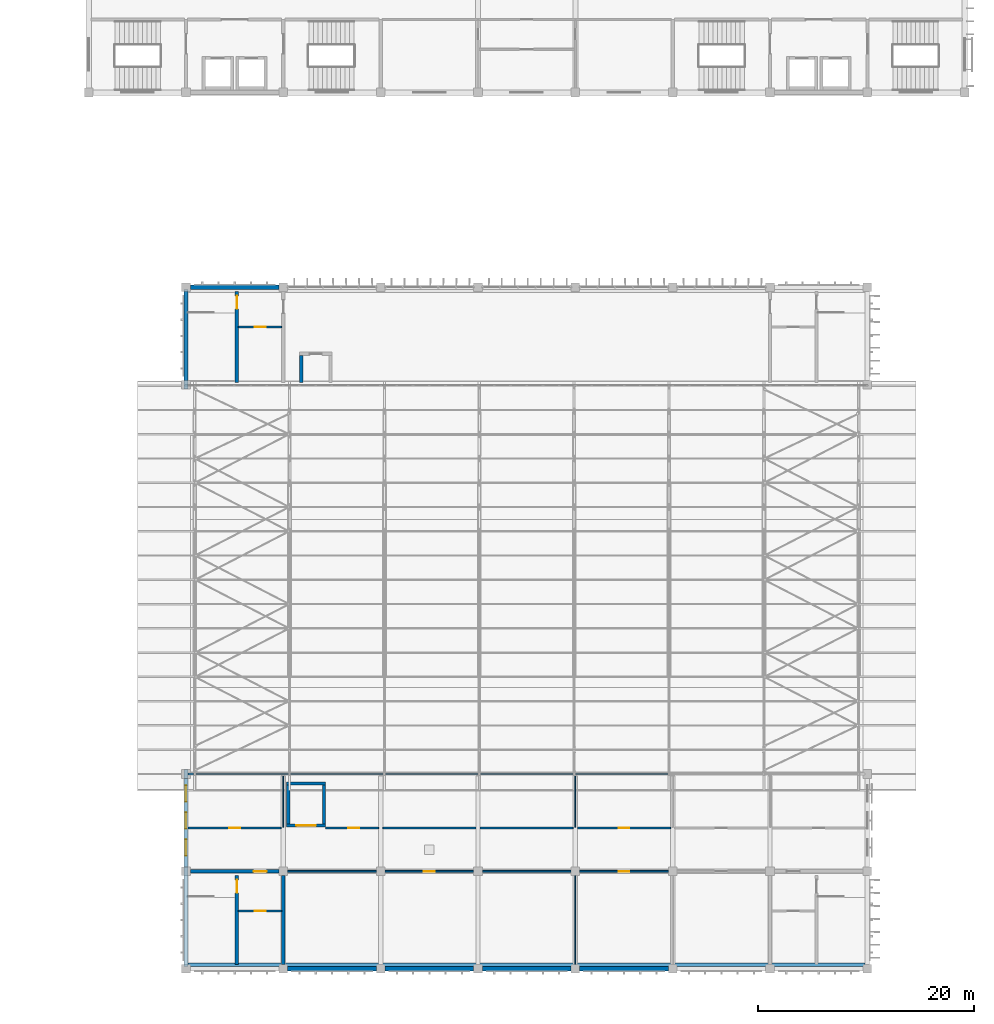
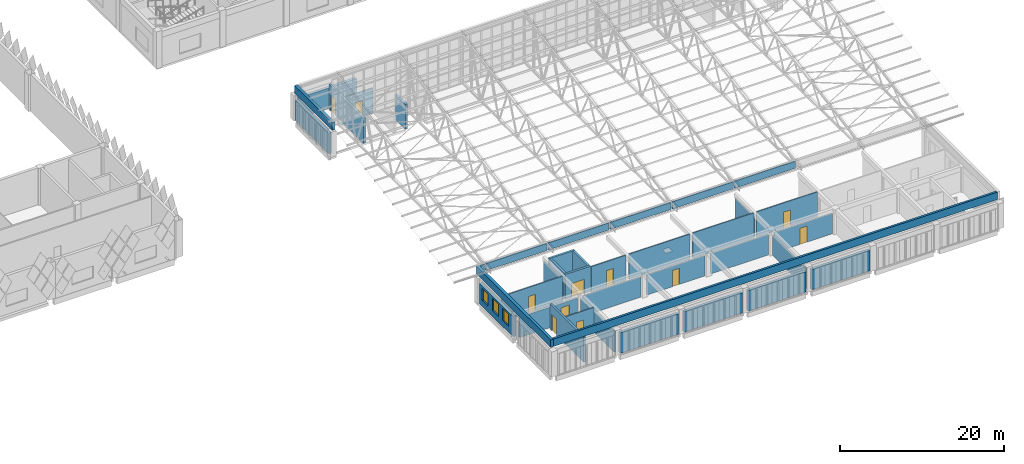
# One storey, part 120 of 185: 39 walls, 11 doors, 3 windows, 14 openings.
"""IFC4 building model written with IfcOpenShell, lengths in metres."""

from ifc_helpers import new_model, si_unit, direction, frame, frame_2d, origin, place, context, subcontext, project, spatial, rectangle, extrude, material, layer, layer_set, type_object, element, fill, save


model = new_model("IFC4")

# Units and contexts
model_context = context("Model", 3, precision=1e-05, world=origin(), true_north=direction((0.0, 1.0)))
body_context = subcontext(model_context, "Body", "Model", "MODEL_VIEW")
ifc_project = project(units=[si_unit("LENGTHUNIT", "METRE"), si_unit("AREAUNIT", "SQUARE_METRE"), si_unit("VOLUMEUNIT", "CUBIC_METRE"), si_unit("PLANEANGLEUNIT", "RADIAN"), si_unit("MASSUNIT", "GRAM", prefix="KILO")], contexts=[model_context])

# Site, building, storey
site_placement = place(None, origin())
site = spatial("IfcSite", under=ifc_project, at=site_placement, CompositionType="ELEMENT")
building_placement = place(site_placement, origin())
building = spatial("IfcBuilding", under=site, at=building_placement, Name="Opaline Strait Convention Centre", CompositionType="ELEMENT")
storey_placement = place(building_placement, frame((0.0, 0.0, 6.0)))
storey = spatial("IfcBuildingStorey", under=building, at=storey_placement, Name="L01", CompositionType="ELEMENT", Elevation=6.0)

# Wall, opening, door
ifc_material_1 = material(Name="Concrete C40", Category="concrete")
ifc_layer_1 = layer(ifc_material_1, 0.300048828125)
ifc_layer_set_1 = layer_set([ifc_layer_1], Name="Concrete C40")
wall_type_1 = type_object("IfcWallType", Name="Core enclosure wall 300 C40", PredefinedType="STANDARD", material=ifc_layer_set_1)
wall_1_placement = place(storey_placement, frame((292.699951171875, 9.39990234375, 0.0), z_axis=(0.0, 0.0, 1.0), x_axis=(0.0, 1.0, 0.0)))
wall_1 = element("IfcWall", 1, at=wall_1_placement, inside=storey, type_object=wall_type_1, Name="Stair enclosure wall L01 SW", PredefinedType="STANDARD", context=body_context, shape_type="SweptSolid", body=[
    extrude(rectangle(XDim=8.2001953125, YDim=0.300048828125, at=frame_2d((4.10009765625, 0.0))), origin(), (0.0, 0.0, 1.0), 3.75),
])
opening_1_placement = place(wall_1_placement, frame((6.60009765625, 0.0, 0.0)))
opening_1 = element("IfcOpeningElement", 2, at=opening_1_placement, cuts=wall_1, Name="Opening B1-001", PredefinedType="OPENING", context=body_context, shape_type="SweptSolid", body=[
    extrude(rectangle(XDim=1.199951171875, YDim=2.39990234375, at=frame_2d((0.60009765625, 1.199951171875))), frame((0.0, 0.159912109375, 0.0), z_axis=(0.0, -1.0, 0.0), x_axis=(1.0, 0.0, 0.0)), (0.0, 0.0, 1.0), 0.320068359375),
])
ifc_material_2 = material(Name="Steel Q235B", Category="steel")
door_type_1 = type_object("IfcDoorType", Name="Single fire door FD60 1200 x 2400", OperationType="SINGLE_SWING_LEFT", PredefinedType="DOOR", material=ifc_material_2)
door_1_placement = place(opening_1_placement, frame((1.199951171875, 0.0, 0.0), z_axis=(0.0, 0.0, 1.0), x_axis=(-1.0, 0.0, 0.0)))
door_1 = element("IfcDoor", 3, at=door_1_placement, inside=storey, type_object=door_type_1, Name="Stair door L01 SW", ObjectType="BD5", OperationType="SINGLE_SWING_RIGHT", OverallHeight=2.39990234375, OverallWidth=1.199951171875, PredefinedType="DOOR", context=body_context, shape_type="SweptSolid", body=[
    extrude(rectangle(XDim=1.199951171875, YDim=2.39990234375, at=frame_2d((0.60009765625, 1.199951171875))), frame((0.0, 0.02490234375, 0.0), z_axis=(0.0, -1.0, 0.0), x_axis=(1.0, 0.0, 0.0)), (0.0, 0.0, 1.0), 0.050048828125),
])
fill(opening_1, door_1)

# Wall
wall_2_placement = place(storey_placement, frame((297.0, 9.39990234375, 0.0), z_axis=(0.0, 0.0, 1.0), x_axis=(0.0, 1.0, 0.0)))
element("IfcWall", 4, at=wall_2_placement, inside=storey, type_object=wall_type_1, Name="Core wall L01 SW", PredefinedType="STANDARD", context=body_context, shape_type="SweptSolid", body=[
    extrude(rectangle(XDim=8.2001953125, YDim=0.300048828125, at=frame_2d((4.10009765625, 0.0))), origin(), (0.0, 0.0, 1.0), 3.050048828125),
])

# Wall, opening, door
wall_3_placement = place(storey_placement, frame((288.39990234375, 18.0, 0.0), z_axis=(0.0, 0.0, 1.0), x_axis=(1.0, 0.0, 0.0)))
wall_3 = element("IfcWall", 5, at=wall_3_placement, inside=storey, type_object=wall_type_1, Name="Core north wall L01 SW", PredefinedType="STANDARD", context=body_context, shape_type="SweptSolid", body=[
    extrude(rectangle(XDim=8.2001953125, YDim=0.300048828125, at=frame_2d((4.10009765625, 0.0))), origin(), (0.0, 0.0, 1.0), 3.050048828125),
])
opening_2_placement = place(wall_3_placement, frame((5.85009765625, 0.0, 0.0)))
opening_2 = element("IfcOpeningElement", 6, at=opening_2_placement, cuts=wall_3, Name="Opening B1-002", PredefinedType="OPENING", context=body_context, shape_type="SweptSolid", body=[
    extrude(rectangle(XDim=1.199951171875, YDim=2.39990234375, at=frame_2d((0.60009765625, 1.199951171875))), frame((0.0, 0.159912109375, 0.0), z_axis=(0.0, -1.0, 0.0), x_axis=(1.0, 0.0, 0.0)), (0.0, 0.0, 1.0), 0.320068359375),
])
door_2_placement = place(opening_2_placement, origin())
door_2 = element("IfcDoor", 7, at=door_2_placement, inside=storey, type_object=door_type_1, Name="Stair lobby door L01 SW", ObjectType="BD5", OperationType="SINGLE_SWING_LEFT", OverallHeight=2.39990234375, OverallWidth=1.199951171875, PredefinedType="DOOR", context=body_context, shape_type="SweptSolid", body=[
    extrude(rectangle(XDim=1.199951171875, YDim=2.39990234375, at=frame_2d((0.60009765625, 1.199951171875))), frame((0.0, 0.02490234375, 0.0), z_axis=(0.0, -1.0, 0.0), x_axis=(1.0, 0.0, 0.0)), (0.0, 0.0, 1.0), 0.050048828125),
])
fill(opening_2, door_2)

wall_4_placement = place(storey_placement, frame((292.699951171875, 63.199951171875, 0.0), z_axis=(0.0, 0.0, 1.0), x_axis=(0.0, 1.0, 0.0)))
wall_4 = element("IfcWall", 8, at=wall_4_placement, inside=storey, type_object=wall_type_1, Name="Stair enclosure wall L01 NW", PredefinedType="STANDARD", context=body_context, shape_type="SweptSolid", body=[
    extrude(rectangle(XDim=8.400146484375, YDim=0.300048828125, at=frame_2d((4.2001953125, 0.0))), origin(), (0.0, 0.0, 1.0), 3.75),
])
opening_3_placement = place(wall_4_placement, frame((6.800048828125, 0.0, 0.0)))
opening_3 = element("IfcOpeningElement", 9, at=opening_3_placement, cuts=wall_4, Name="Opening B1-007", PredefinedType="OPENING", context=body_context, shape_type="SweptSolid", body=[
    extrude(rectangle(XDim=1.199951171875, YDim=2.39990234375, at=frame_2d((0.60009765625, 1.199951171875))), frame((0.0, 0.159912109375, 0.0), z_axis=(0.0, -1.0, 0.0), x_axis=(1.0, 0.0, 0.0)), (0.0, 0.0, 1.0), 0.320068359375),
])
door_3_placement = place(opening_3_placement, frame((1.199951171875, 0.0, 0.0), z_axis=(0.0, 0.0, 1.0), x_axis=(-1.0, 0.0, 0.0)))
door_3 = element("IfcDoor", 10, at=door_3_placement, inside=storey, type_object=door_type_1, Name="Stair door L01 NW", ObjectType="BD5", OperationType="SINGLE_SWING_RIGHT", OverallHeight=2.39990234375, OverallWidth=1.199951171875, PredefinedType="DOOR", context=body_context, shape_type="SweptSolid", body=[
    extrude(rectangle(XDim=1.199951171875, YDim=2.39990234375, at=frame_2d((0.60009765625, 1.199951171875))), frame((0.0, 0.02490234375, 0.0), z_axis=(0.0, -1.0, 0.0), x_axis=(1.0, 0.0, 0.0)), (0.0, 0.0, 1.0), 0.050048828125),
])
fill(opening_3, door_3)

ifc_material_3 = material(Name="Gypsum board and steel stud partition", Category="steel")
ifc_layer_2 = layer(ifc_material_3, 0.14990234375)
ifc_layer_set_2 = layer_set([ifc_layer_2], Name="Gypsum board and steel stud partition")
wall_type_2 = type_object("IfcWallType", Name="Corridor partition 150 EI 60", PredefinedType="PARTITIONING", material=ifc_layer_set_2)
wall_5_placement = place(storey_placement, frame((292.85009765625, 14.324951171875, 0.0), z_axis=(0.0, 0.0, 1.0), x_axis=(1.0, 0.0, 0.0)))
wall_5 = element("IfcWall", 11, at=wall_5_placement, inside=storey, type_object=wall_type_2, Name="Lobby partition L01 SW", PredefinedType="PARTITIONING", context=body_context, shape_type="SweptSolid", body=[
    extrude(rectangle(XDim=4.0, YDim=0.14990234375, at=frame_2d((2.0, 0.0))), origin(), (0.0, 0.0, 1.0), 3.75),
])
opening_4_placement = place(wall_5_placement, frame((1.5, 0.0, 0.0)))
opening_4 = element("IfcOpeningElement", 12, at=opening_4_placement, cuts=wall_5, Name="Opening B1-003", PredefinedType="OPENING", context=body_context, shape_type="SweptSolid", body=[
    extrude(rectangle(XDim=1.0, YDim=2.39990234375, at=frame_2d((0.5, 1.199951171875))), frame((0.0, 0.0849609375, 0.0), z_axis=(0.0, -1.0, 0.0), x_axis=(1.0, 0.0, 0.0)), (0.0, 0.0, 1.0), 0.169921875),
])
ifc_material_4 = material(Name="Solid timber door leaf", Category="wood")
door_type_2 = type_object("IfcDoorType", Name="Single room door 1000 x 2400", OperationType="SINGLE_SWING_LEFT", PredefinedType="DOOR", material=ifc_material_4)
door_4_placement = place(opening_4_placement, origin())
door_4 = element("IfcDoor", 13, at=door_4_placement, inside=storey, type_object=door_type_2, Name="Staff WC door L01", ObjectType="BD3", OperationType="SINGLE_SWING_LEFT", OverallHeight=2.39990234375, OverallWidth=1.0, PredefinedType="DOOR", context=body_context, shape_type="SweptSolid", body=[
    extrude(rectangle(XDim=1.0, YDim=2.39990234375, at=frame_2d((0.5, 1.199951171875))), frame((0.0, 0.02490234375, 0.0), z_axis=(0.0, -1.0, 0.0), x_axis=(1.0, 0.0, 0.0)), (0.0, 0.0, 1.0), 0.050048828125),
])
fill(opening_4, door_4)

wall_6_placement = place(storey_placement, frame((292.85009765625, 68.324951171875, 0.0), z_axis=(0.0, 0.0, 1.0), x_axis=(1.0, 0.0, 0.0)))
wall_6 = element("IfcWall", 14, at=wall_6_placement, inside=storey, type_object=wall_type_2, Name="Lobby partition L01 NW", PredefinedType="PARTITIONING", context=body_context, shape_type="SweptSolid", body=[
    extrude(rectangle(XDim=4.0, YDim=0.14990234375, at=frame_2d((2.0, 0.0))), origin(), (0.0, 0.0, 1.0), 3.75),
])
opening_5_placement = place(wall_6_placement, frame((1.5, 0.0, 0.0)))
opening_5 = element("IfcOpeningElement", 15, at=opening_5_placement, cuts=wall_6, Name="Opening B1-009", PredefinedType="OPENING", context=body_context, shape_type="SweptSolid", body=[
    extrude(rectangle(XDim=1.0, YDim=2.39990234375, at=frame_2d((0.5, 1.199951171875))), frame((0.0, 0.0849609375, 0.0), z_axis=(0.0, -1.0, 0.0), x_axis=(1.0, 0.0, 0.0)), (0.0, 0.0, 1.0), 0.169921875),
])
door_5_placement = place(opening_5_placement, origin())
door_5 = element("IfcDoor", 16, at=door_5_placement, inside=storey, type_object=door_type_2, Name="Dressing room door L01", ObjectType="BD3", OperationType="SINGLE_SWING_LEFT", OverallHeight=2.39990234375, OverallWidth=1.0, PredefinedType="DOOR", context=body_context, shape_type="SweptSolid", body=[
    extrude(rectangle(XDim=1.0, YDim=2.39990234375, at=frame_2d((0.5, 1.199951171875))), frame((0.0, 0.02490234375, 0.0), z_axis=(0.0, -1.0, 0.0), x_axis=(1.0, 0.0, 0.0)), (0.0, 0.0, 1.0), 0.050048828125),
])
fill(opening_5, door_5)

# Wall
wall_7_placement = place(storey_placement, frame((297.39990234375, 18.0, 0.0), z_axis=(0.0, 0.0, 1.0), x_axis=(1.0, 0.0, 0.0)))
element("IfcWall", 17, at=wall_7_placement, inside=storey, type_object=wall_type_2, Name="Corridor wall L01 y18 bay 1", PredefinedType="PARTITIONING", context=body_context, shape_type="SweptSolid", body=[
    extrude(rectangle(XDim=8.2001953125, YDim=0.14990234375, at=frame_2d((4.10009765625, 0.0))), origin(), (0.0, 0.0, 1.0), 3.050048828125),
])

# Wall, opening, door
wall_8_placement = place(storey_placement, frame((306.39990234375, 18.0, 0.0), z_axis=(0.0, 0.0, 1.0), x_axis=(1.0, 0.0, 0.0)))
wall_8 = element("IfcWall", 18, at=wall_8_placement, inside=storey, type_object=wall_type_2, Name="Corridor wall L01 y18 bay 2", PredefinedType="PARTITIONING", context=body_context, shape_type="SweptSolid", body=[
    extrude(rectangle(XDim=8.2001953125, YDim=0.14990234375, at=frame_2d((4.10009765625, 0.0))), origin(), (0.0, 0.0, 1.0), 3.050048828125),
])
opening_6_placement = place(wall_8_placement, frame((3.60009765625, 0.0, 0.0)))
opening_6 = element("IfcOpeningElement", 19, at=opening_6_placement, cuts=wall_8, Name="Opening B1-013", PredefinedType="OPENING", context=body_context, shape_type="SweptSolid", body=[
    extrude(rectangle(XDim=1.0, YDim=2.39990234375, at=frame_2d((0.5, 1.199951171875))), frame((0.0, 0.0849609375, 0.0), z_axis=(0.0, -1.0, 0.0), x_axis=(1.0, 0.0, 0.0)), (0.0, 0.0, 1.0), 0.169921875),
])
door_type_3 = type_object("IfcDoorType", Name="Single fire door FD30 1000 x 2400", OperationType="SINGLE_SWING_LEFT", PredefinedType="DOOR", material=ifc_material_2)
door_6_placement = place(opening_6_placement, origin())
door_6 = element("IfcDoor", 20, at=door_6_placement, inside=storey, type_object=door_type_3, Name="Room door L01 y18 2", ObjectType="BD2", OperationType="SINGLE_SWING_LEFT", OverallHeight=2.39990234375, OverallWidth=1.0, PredefinedType="DOOR", context=body_context, shape_type="SweptSolid", body=[
    extrude(rectangle(XDim=1.0, YDim=2.39990234375, at=frame_2d((0.5, 1.199951171875))), frame((0.0, 0.02490234375, 0.0), z_axis=(0.0, -1.0, 0.0), x_axis=(1.0, 0.0, 0.0)), (0.0, 0.0, 1.0), 0.050048828125),
])
fill(opening_6, door_6)

# Wall
wall_9_placement = place(storey_placement, frame((315.39990234375, 18.0, 0.0), z_axis=(0.0, 0.0, 1.0), x_axis=(1.0, 0.0, 0.0)))
element("IfcWall", 21, at=wall_9_placement, inside=storey, type_object=wall_type_2, Name="Corridor wall L01 y18 bay 3", PredefinedType="PARTITIONING", context=body_context, shape_type="SweptSolid", body=[
    extrude(rectangle(XDim=8.2001953125, YDim=0.14990234375, at=frame_2d((4.10009765625, 0.0))), origin(), (0.0, 0.0, 1.0), 3.050048828125),
])

# Wall, opening, door
wall_10_placement = place(storey_placement, frame((324.39990234375, 18.0, 0.0), z_axis=(0.0, 0.0, 1.0), x_axis=(1.0, 0.0, 0.0)))
wall_10 = element("IfcWall", 22, at=wall_10_placement, inside=storey, type_object=wall_type_2, Name="Corridor wall L01 y18 bay 4", PredefinedType="PARTITIONING", context=body_context, shape_type="SweptSolid", body=[
    extrude(rectangle(XDim=8.2001953125, YDim=0.14990234375, at=frame_2d((4.10009765625, 0.0))), origin(), (0.0, 0.0, 1.0), 3.050048828125),
])
opening_7_placement = place(wall_10_placement, frame((3.60009765625, 0.0, 0.0)))
opening_7 = element("IfcOpeningElement", 23, at=opening_7_placement, cuts=wall_10, Name="Opening B1-014", PredefinedType="OPENING", context=body_context, shape_type="SweptSolid", body=[
    extrude(rectangle(XDim=1.0, YDim=2.39990234375, at=frame_2d((0.5, 1.199951171875))), frame((0.0, 0.0849609375, 0.0), z_axis=(0.0, -1.0, 0.0), x_axis=(1.0, 0.0, 0.0)), (0.0, 0.0, 1.0), 0.169921875),
])
door_7_placement = place(opening_7_placement, origin())
door_7 = element("IfcDoor", 24, at=door_7_placement, inside=storey, type_object=door_type_3, Name="Room door L01 y18 4", ObjectType="BD2", OperationType="SINGLE_SWING_LEFT", OverallHeight=2.39990234375, OverallWidth=1.0, PredefinedType="DOOR", context=body_context, shape_type="SweptSolid", body=[
    extrude(rectangle(XDim=1.0, YDim=2.39990234375, at=frame_2d((0.5, 1.199951171875))), frame((0.0, 0.02490234375, 0.0), z_axis=(0.0, -1.0, 0.0), x_axis=(1.0, 0.0, 0.0)), (0.0, 0.0, 1.0), 0.050048828125),
])
fill(opening_7, door_7)

wall_11_placement = place(storey_placement, frame((288.199951171875, 22.0, 0.0), z_axis=(0.0, 0.0, 1.0), x_axis=(1.0, 0.0, 0.0)))
wall_11 = element("IfcWall", 25, at=wall_11_placement, inside=storey, type_object=wall_type_2, Name="Corridor wall L01 y22 bay 0", PredefinedType="PARTITIONING", context=body_context, shape_type="SweptSolid", body=[
    extrude(rectangle(XDim=8.60009765625, YDim=0.14990234375, at=frame_2d((4.300048828125, 0.0))), origin(), (0.0, 0.0, 1.0), 3.75),
])
opening_8_placement = place(wall_11_placement, frame((3.800048828125, 0.0, 0.0)))
opening_8 = element("IfcOpeningElement", 26, at=opening_8_placement, cuts=wall_11, Name="Opening B1-016", PredefinedType="OPENING", context=body_context, shape_type="SweptSolid", body=[
    extrude(rectangle(XDim=1.0, YDim=2.39990234375, at=frame_2d((0.5, 1.199951171875))), frame((0.0, 0.0849609375, 0.0), z_axis=(0.0, -1.0, 0.0), x_axis=(1.0, 0.0, 0.0)), (0.0, 0.0, 1.0), 0.169921875),
])
door_8_placement = place(opening_8_placement, frame((1.0, 0.0, 0.0), z_axis=(0.0, 0.0, 1.0), x_axis=(-1.0, 0.0, 0.0)))
door_8 = element("IfcDoor", 27, at=door_8_placement, inside=storey, type_object=door_type_3, Name="Room door L01 y22 0", ObjectType="BD2", OperationType="SINGLE_SWING_RIGHT", OverallHeight=2.39990234375, OverallWidth=1.0, PredefinedType="DOOR", context=body_context, shape_type="SweptSolid", body=[
    extrude(rectangle(XDim=1.0, YDim=2.39990234375, at=frame_2d((0.5, 1.199951171875))), frame((0.0, 0.02490234375, 0.0), z_axis=(0.0, -1.0, 0.0), x_axis=(1.0, 0.0, 0.0)), (0.0, 0.0, 1.0), 0.050048828125),
])
fill(opening_8, door_8)

wall_12_placement = place(storey_placement, frame((300.89990234375, 22.0, 0.0), z_axis=(0.0, 0.0, 1.0), x_axis=(1.0, 0.0, 0.0)))
wall_12 = element("IfcWall", 28, at=wall_12_placement, inside=storey, type_object=wall_type_2, Name="Corridor wall L01 y22 bay 1", PredefinedType="PARTITIONING", context=body_context, shape_type="SweptSolid", body=[
    extrude(rectangle(XDim=4.900146484375, YDim=0.14990234375, at=frame_2d((2.4501953125, 0.0))), origin(), (0.0, 0.0, 1.0), 3.75),
])
opening_9_placement = place(wall_12_placement, frame((2.10009765625, 0.0, 0.0)))
opening_9 = element("IfcOpeningElement", 29, at=opening_9_placement, cuts=wall_12, Name="Opening B1-017", PredefinedType="OPENING", context=body_context, shape_type="SweptSolid", body=[
    extrude(rectangle(XDim=1.0, YDim=2.39990234375, at=frame_2d((0.5, 1.199951171875))), frame((0.0, 0.0849609375, 0.0), z_axis=(0.0, -1.0, 0.0), x_axis=(1.0, 0.0, 0.0)), (0.0, 0.0, 1.0), 0.169921875),
])
door_9_placement = place(opening_9_placement, frame((1.0, 0.0, 0.0), z_axis=(0.0, 0.0, 1.0), x_axis=(-1.0, 0.0, 0.0)))
door_9 = element("IfcDoor", 30, at=door_9_placement, inside=storey, type_object=door_type_3, Name="Room door L01 y22 1", ObjectType="BD2", OperationType="SINGLE_SWING_RIGHT", OverallHeight=2.39990234375, OverallWidth=1.0, PredefinedType="DOOR", context=body_context, shape_type="SweptSolid", body=[
    extrude(rectangle(XDim=1.0, YDim=2.39990234375, at=frame_2d((0.5, 1.199951171875))), frame((0.0, 0.02490234375, 0.0), z_axis=(0.0, -1.0, 0.0), x_axis=(1.0, 0.0, 0.0)), (0.0, 0.0, 1.0), 0.050048828125),
])
fill(opening_9, door_9)

# Walls
for number, where, z_axis, x_axis, name in (
    (31, (306.199951171875, 22.0, 0.0), (0.0, 0.0, 1.0), (1.0, 0.0, 0.0), "Corridor wall L01 y22 bay 2"),
    (32, (315.199951171875, 22.0, 0.0), (0.0, 0.0, 1.0), (1.0, 0.0, 0.0), "Corridor wall L01 y22 bay 3"),
):
    element("IfcWall", number, at=place(storey_placement, frame(where, z_axis=z_axis, x_axis=x_axis)), inside=storey, type_object=wall_type_2, Name=name, PredefinedType="PARTITIONING", context=body_context, shape_type="SweptSolid", body=[
        extrude(rectangle(XDim=8.60009765625, YDim=0.14990234375, at=frame_2d((4.300048828125, 0.0))), origin(), (0.0, 0.0, 1.0), 3.75),
    ])

# Wall, opening, door
wall_13_placement = place(storey_placement, frame((324.199951171875, 22.0, 0.0), z_axis=(0.0, 0.0, 1.0), x_axis=(1.0, 0.0, 0.0)))
wall_13 = element("IfcWall", 33, at=wall_13_placement, inside=storey, type_object=wall_type_2, Name="Corridor wall L01 y22 bay 4", PredefinedType="PARTITIONING", context=body_context, shape_type="SweptSolid", body=[
    extrude(rectangle(XDim=8.60009765625, YDim=0.14990234375, at=frame_2d((4.300048828125, 0.0))), origin(), (0.0, 0.0, 1.0), 3.75),
])
opening_10_placement = place(wall_13_placement, frame((3.800048828125, 0.0, 0.0)))
opening_10 = element("IfcOpeningElement", 34, at=opening_10_placement, cuts=wall_13, Name="Opening B1-018", PredefinedType="OPENING", context=body_context, shape_type="SweptSolid", body=[
    extrude(rectangle(XDim=1.0, YDim=2.39990234375, at=frame_2d((0.5, 1.199951171875))), frame((0.0, 0.0849609375, 0.0), z_axis=(0.0, -1.0, 0.0), x_axis=(1.0, 0.0, 0.0)), (0.0, 0.0, 1.0), 0.169921875),
])
door_10_placement = place(opening_10_placement, frame((1.0, 0.0, 0.0), z_axis=(0.0, 0.0, 1.0), x_axis=(-1.0, 0.0, 0.0)))
door_10 = element("IfcDoor", 35, at=door_10_placement, inside=storey, type_object=door_type_3, Name="Room door L01 y22 4", ObjectType="BD2", OperationType="SINGLE_SWING_RIGHT", OverallHeight=2.39990234375, OverallWidth=1.0, PredefinedType="DOOR", context=body_context, shape_type="SweptSolid", body=[
    extrude(rectangle(XDim=1.0, YDim=2.39990234375, at=frame_2d((0.5, 1.199951171875))), frame((0.0, 0.02490234375, 0.0), z_axis=(0.0, -1.0, 0.0), x_axis=(1.0, 0.0, 0.0)), (0.0, 0.0, 1.0), 0.050048828125),
])
fill(opening_10, door_10)

# Walls
ifc_material_5 = material(Name="Concrete C40 precast white", Category="concrete")
ifc_layer_3 = layer(ifc_material_5, 0.1201171875)
ifc_material_6 = material(Name="Mineral wool insulation")
ifc_layer_4 = layer(ifc_material_6, 0.050048828125)
ifc_material_7 = material(Name="Gypsum board lining")
ifc_layer_5 = layer(ifc_material_7, 0.030029296875)
ifc_layer_set_3 = layer_set([ifc_layer_3, ifc_layer_4, ifc_layer_5], Name="Concrete C40 precast white, Mineral wool insulation, Gypsum board lining")
wall_type_3 = type_object("IfcWallType", Name="Eaves closure panel 200", PredefinedType="STANDARD", material=ifc_layer_set_3)
wall_14_placement = place(storey_placement, frame((288.199951171875, 27.0, 4.324951171875), z_axis=(0.0, 0.0, 1.0), x_axis=(1.0, 0.0, 0.0)))
element("IfcWall", 36, at=wall_14_placement, inside=storey, type_object=wall_type_3, Name="Ballroom south eaves closure panel 1", PredefinedType="STANDARD", context=body_context, shape_type="SweptSolid", body=[
    extrude(rectangle(XDim=0.512451171875, YDim=0.199951171875, at=frame_2d((0.25634765625, 0.0))), origin(), (0.0, 0.0, 1.0), 1.060546875),
])
for number, where, z_axis, x_axis, name in (
    (37, (288.887451171875, 27.0, 4.324951171875), (0.0, 0.0, 1.0), (1.0, 0.0, 0.0), "Ballroom south eaves closure panel 2"),
    (38, (297.658935546875, 27.0, 4.324951171875), (0.0, 0.0, 1.0), (1.0, 0.0, 0.0), "Ballroom south eaves closure panel 3"),
    (39, (306.430419921875, 27.0, 4.324951171875), (0.0, 0.0, 1.0), (1.0, 0.0, 0.0), "Ballroom south eaves closure panel 4"),
):
    element("IfcWall", number, at=place(storey_placement, frame(where, z_axis=z_axis, x_axis=x_axis)), inside=storey, type_object=wall_type_3, Name=name, PredefinedType="STANDARD", context=body_context, shape_type="SweptSolid", body=[
        extrude(rectangle(XDim=8.596435546875, YDim=0.199951171875, at=frame_2d((4.29833984375, 0.0))), origin(), (0.0, 0.0, 1.0), 1.060546875),
    ])
wall_15_placement = place(storey_placement, frame((315.201904296875, 27.0, 4.324951171875), z_axis=(0.0, 0.0, 1.0), x_axis=(1.0, 0.0, 0.0)))
element("IfcWall", 40, at=wall_15_placement, inside=storey, type_object=wall_type_3, Name="Ballroom south eaves closure panel 5", PredefinedType="STANDARD", context=body_context, shape_type="SweptSolid", body=[
    extrude(rectangle(XDim=8.59619140625, YDim=0.199951171875, at=frame_2d((4.298095703125, 0.0))), origin(), (0.0, 0.0, 1.0), 1.060546875),
])
wall_16_placement = place(storey_placement, frame((323.97314453125, 27.0, 4.324951171875), z_axis=(0.0, 0.0, 1.0), x_axis=(1.0, 0.0, 0.0)))
element("IfcWall", 41, at=wall_16_placement, inside=storey, type_object=wall_type_3, Name="Ballroom south eaves closure panel 6", PredefinedType="STANDARD", context=body_context, shape_type="SweptSolid", body=[
    extrude(rectangle(XDim=8.596435546875, YDim=0.199951171875, at=frame_2d((4.29833984375, 0.0))), origin(), (0.0, 0.0, 1.0), 1.060546875),
])

# Wall, opening, door
ifc_layer_6 = layer(ifc_material_1, 0.300048828125)
ifc_layer_set_4 = layer_set([ifc_layer_6], Name="Concrete C40")
wall_type_4 = type_object("IfcWallType", Name="Lift shaft wall 300 C40", PredefinedType="SHEAR", material=ifc_layer_set_4)
wall_17_placement = place(storey_placement, frame((297.300048828125, 22.22509765625, 0.0), z_axis=(0.0, 0.0, 1.0), x_axis=(1.0, 0.0, 0.0)))
wall_17 = element("IfcWall", 42, at=wall_17_placement, inside=storey, type_object=wall_type_4, Name="Goods Lift shaft wall L01 S", PredefinedType="SHEAR", context=body_context, shape_type="SweptSolid", body=[
    extrude(rectangle(XDim=3.599853515625, YDim=0.300048828125, at=frame_2d((1.7998046875, 0.0))), origin(), (0.0, 0.0, 1.0), 3.75),
])
opening_11_placement = place(wall_17_placement, frame((0.89990234375, 0.0, 0.0)))
opening_11 = element("IfcOpeningElement", 43, at=opening_11_placement, cuts=wall_17, Name="Opening B1-021", PredefinedType="OPENING", context=body_context, shape_type="SweptSolid", body=[
    extrude(rectangle(XDim=1.800048828125, YDim=2.10009765625, at=frame_2d((0.89990234375, 1.050048828125))), frame((0.0, 0.159912109375, 0.0), z_axis=(0.0, -1.0, 0.0), x_axis=(1.0, 0.0, 0.0)), (0.0, 0.0, 1.0), 0.320068359375),
])
ifc_material_8 = material(Name="Stainless steel 304", Category="steel")
door_type_4 = type_object("IfcDoorType", Name="Lift landing door goods 1800 x 2100", OperationType="SLIDING_TO_LEFT", PredefinedType="DOOR", material=ifc_material_8)
door_11_placement = place(opening_11_placement, origin())
door_11 = element("IfcDoor", 44, at=door_11_placement, inside=storey, type_object=door_type_4, Name="Goods Lift landing door L01", ObjectType="BLD1", OperationType="SLIDING_TO_RIGHT", OverallHeight=2.10009765625, OverallWidth=1.800048828125, PredefinedType="DOOR", context=body_context, shape_type="SweptSolid", body=[
    extrude(rectangle(XDim=1.800048828125, YDim=2.10009765625, at=frame_2d((0.89990234375, 1.050048828125))), frame((0.0, 0.02490234375, 0.0), z_axis=(0.0, -1.0, 0.0), x_axis=(1.0, 0.0, 0.0)), (0.0, 0.0, 1.0), 0.050048828125),
])
fill(opening_11, door_11)

# Walls
wall_18_placement = place(storey_placement, frame((297.300048828125, 26.125, 0.0), z_axis=(0.0, 0.0, 1.0), x_axis=(1.0, 0.0, 0.0)))
element("IfcWall", 45, at=wall_18_placement, inside=storey, type_object=wall_type_4, Name="Goods Lift shaft wall L01 N", PredefinedType="SHEAR", context=body_context, shape_type="SweptSolid", body=[
    extrude(rectangle(XDim=3.599853515625, YDim=0.300048828125, at=frame_2d((1.7998046875, 0.0))), origin(), (0.0, 0.0, 1.0), 3.75),
])
for number, where, z_axis, x_axis, name in (
    (46, (297.449951171875, 22.375, 0.0), (0.0, 0.0, 1.0), (0.0, 1.0, 0.0), "Goods Lift shaft wall L01 W"),
    (47, (300.75, 22.375, 0.0), (0.0, 0.0, 1.0), (0.0, 1.0, 0.0), "Goods Lift shaft wall L01 E"),
):
    element("IfcWall", number, at=place(storey_placement, frame(where, z_axis=z_axis, x_axis=x_axis)), inside=storey, type_object=wall_type_4, Name=name, PredefinedType="SHEAR", context=body_context, shape_type="SweptSolid", body=[
        extrude(rectangle(XDim=3.60009765625, YDim=0.300048828125, at=frame_2d((1.800048828125, 0.0))), origin(), (0.0, 0.0, 1.0), 3.75),
    ])
wall_19_placement = place(storey_placement, frame((298.64990234375, 63.199951171875, 0.0), z_axis=(0.0, 0.0, 1.0), x_axis=(0.0, 1.0, 0.0)))
element("IfcWall", 48, at=wall_19_placement, inside=storey, type_object=wall_type_4, Name="Passenger Lift shaft wall L01 W", PredefinedType="SHEAR", context=body_context, shape_type="SweptSolid", body=[
    extrude(rectangle(XDim=2.5, YDim=0.300048828125, at=frame_2d((1.25, 0.0))), origin(), (0.0, 0.0, 1.0), 3.75),
])
ifc_material_9 = material(Name="Concrete C40 precast", Category="concrete")
ifc_layer_7 = layer(ifc_material_9, 0.080078125)
ifc_layer_8 = layer(ifc_material_6, 0.1201171875)
ifc_material_10 = material(Name="Concrete C30", Category="concrete")
ifc_layer_9 = layer(ifc_material_10, 0.10009765625)
ifc_layer_set_5 = layer_set([ifc_layer_7, ifc_layer_8, ifc_layer_9], Name="Concrete C40 precast, Mineral wool insulation, Concrete C30")
wall_type_5 = type_object("IfcWallType", Name="Parapet wall precast 300", PredefinedType="PARAPET", material=ifc_layer_set_5)
wall_20_placement = place(storey_placement, frame((288.199951171875, 9.35009765625, 4.0), z_axis=(0.0, 0.0, 1.0), x_axis=(1.0, 0.0, 0.0)))
element("IfcWall", 49, at=wall_20_placement, inside=storey, type_object=wall_type_5, Name="Kitchen strip roof parapet south", PredefinedType="PARAPET", context=body_context, shape_type="SweptSolid", body=[
    extrude(rectangle(XDim=62.60009765625, YDim=0.300048828125, at=frame_2d((31.300048828125, 0.0))), origin(), (0.0, 0.0, 1.0), 1.12109375),
])
ifc_layer_10 = layer(ifc_material_9, 0.080078125)
ifc_layer_11 = layer(ifc_material_6, 0.139892578125)
ifc_layer_12 = layer(ifc_material_10, 0.179931640625)
ifc_layer_set_6 = layer_set([ifc_layer_10, ifc_layer_11, ifc_layer_12], Name="Concrete C40 precast, Mineral wool insulation, Concrete C30")
wall_type_6 = type_object("IfcWallType", Name="Parapet wall precast 400", PredefinedType="PARAPET", material=ifc_layer_set_6)
wall_21_placement = place(storey_placement, frame((288.0, 9.199951171875, 4.0), z_axis=(0.0, 0.0, 1.0), x_axis=(0.0, 1.0, 0.0)))
element("IfcWall", 50, at=wall_21_placement, inside=storey, type_object=wall_type_6, Name="Kitchen strip roof parapet west", PredefinedType="PARAPET", context=body_context, shape_type="SweptSolid", body=[
    extrude(rectangle(XDim=18.199951171875, YDim=0.39990234375, at=frame_2d((9.10009765625, 0.0))), origin(), (0.0, 0.0, 1.0), 1.12109375),
])
wall_22_placement = place(storey_placement, frame((288.0, 62.60009765625, 4.0), z_axis=(0.0, 0.0, 1.0), x_axis=(0.0, 1.0, 0.0)))
element("IfcWall", 51, at=wall_22_placement, inside=storey, type_object=wall_type_6, Name="Foyer strip roof parapet west", PredefinedType="PARAPET", context=body_context, shape_type="SweptSolid", body=[
    extrude(rectangle(XDim=9.199951171875, YDim=0.39990234375, at=frame_2d((4.60009765625, 0.0))), origin(), (0.0, 0.0, 1.0), 1.12109375),
])

# Wall, openings, windows
ifc_layer_13 = layer(ifc_material_9, 0.080078125)
ifc_material_11 = material(Name="Ventilated air cavity")
ifc_layer_14 = layer(ifc_material_11, 0.030029296875)
ifc_layer_15 = layer(ifc_material_6, 0.139892578125)
ifc_layer_16 = layer(ifc_material_10, 0.14990234375)
ifc_layer_set_7 = layer_set([ifc_layer_13, ifc_layer_14, ifc_layer_15, ifc_layer_16], Name="Concrete C40 precast, Ventilated air cavity, Mineral wool insulation, Concrete C30")
wall_type_7 = type_object("IfcWallType", Name="Precast insulated wall 400", PredefinedType="STANDARD", material=ifc_layer_set_7)
wall_23_placement = place(storey_placement, frame((288.0, 18.39990234375, 0.0), z_axis=(0.0, 0.0, 1.0), x_axis=(0.0, 1.0, 0.0)))
wall_23 = element("IfcWall", 52, at=wall_23_placement, inside=storey, type_object=wall_type_7, Name="Ballroom west wall L01 W18", PredefinedType="STANDARD", context=body_context, shape_type="SweptSolid", body=[
    extrude(rectangle(XDim=8.2001953125, YDim=0.39990234375, at=frame_2d((4.10009765625, 0.0))), origin(), (0.0, 0.0, 1.0), 3.050048828125),
])
opening_12_placement = place(wall_23_placement, frame((1.050048828125, 0.0, 0.89990234375)))
opening_12 = element("IfcOpeningElement", 53, at=opening_12_placement, cuts=wall_23, Name="Opening BV2", PredefinedType="OPENING", context=body_context, shape_type="SweptSolid", body=[
    extrude(rectangle(XDim=1.5, YDim=1.800048828125, at=frame_2d((0.75, 0.89990234375))), frame((0.0, 0.2099609375, 0.0), z_axis=(0.0, -1.0, 0.0), x_axis=(1.0, 0.0, 0.0)), (0.0, 0.0, 1.0), 0.419921875),
])
opening_13_placement = place(wall_23_placement, frame((3.550048828125, 0.0, 0.89990234375)))
opening_13 = element("IfcOpeningElement", 54, at=opening_13_placement, cuts=wall_23, Name="Opening BV2", PredefinedType="OPENING", context=body_context, shape_type="SweptSolid", body=[
    extrude(rectangle(XDim=1.5, YDim=1.800048828125, at=frame_2d((0.75, 0.89990234375))), frame((0.0, 0.2099609375, 0.0), z_axis=(0.0, -1.0, 0.0), x_axis=(1.0, 0.0, 0.0)), (0.0, 0.0, 1.0), 0.419921875),
])
opening_14_placement = place(wall_23_placement, frame((6.050048828125, 0.0, 0.89990234375)))
opening_14 = element("IfcOpeningElement", 55, at=opening_14_placement, cuts=wall_23, Name="Opening BV2", PredefinedType="OPENING", context=body_context, shape_type="SweptSolid", body=[
    extrude(rectangle(XDim=1.5, YDim=1.800048828125, at=frame_2d((0.75, 0.89990234375))), frame((0.0, 0.2099609375, 0.0), z_axis=(0.0, -1.0, 0.0), x_axis=(1.0, 0.0, 0.0)), (0.0, 0.0, 1.0), 0.419921875),
])
ifc_material_12 = material(Name="Aluminium framed double glazing", Category="aluminium")
window_type = type_object("IfcWindowType", Name="Room window 1500 x 1800", PartitioningType="SINGLE_PANEL", PredefinedType="WINDOW", material=ifc_material_12)
window_1_placement = place(opening_12_placement, origin())
window_1 = element("IfcWindow", 56, at=window_1_placement, inside=storey, type_object=window_type, Name="Window L01 W 1", OverallHeight=1.800048828125, OverallWidth=1.5, PartitioningType="SINGLE_PANEL", PredefinedType="WINDOW", context=body_context, shape_type="SweptSolid", body=[
    extrude(rectangle(XDim=1.5, YDim=1.800048828125, at=frame_2d((0.75, 0.89990234375))), frame((0.0, 0.030029296875, 0.0), z_axis=(0.0, -1.0, 0.0), x_axis=(1.0, 0.0, 0.0)), (0.0, 0.0, 1.0), 0.06005859375),
])
fill(opening_12, window_1)
window_2_placement = place(opening_13_placement, origin())
window_2 = element("IfcWindow", 57, at=window_2_placement, inside=storey, type_object=window_type, Name="Window L01 W 2", OverallHeight=1.800048828125, OverallWidth=1.5, PartitioningType="SINGLE_PANEL", PredefinedType="WINDOW", context=body_context, shape_type="SweptSolid", body=[
    extrude(rectangle(XDim=1.5, YDim=1.800048828125, at=frame_2d((0.75, 0.89990234375))), frame((0.0, 0.030029296875, 0.0), z_axis=(0.0, -1.0, 0.0), x_axis=(1.0, 0.0, 0.0)), (0.0, 0.0, 1.0), 0.06005859375),
])
fill(opening_13, window_2)
window_3_placement = place(opening_14_placement, origin())
window_3 = element("IfcWindow", 58, at=window_3_placement, inside=storey, type_object=window_type, Name="Window L01 W 3", OverallHeight=1.800048828125, OverallWidth=1.5, PartitioningType="SINGLE_PANEL", PredefinedType="WINDOW", context=body_context, shape_type="SweptSolid", body=[
    extrude(rectangle(XDim=1.5, YDim=1.800048828125, at=frame_2d((0.75, 0.89990234375))), frame((0.0, 0.030029296875, 0.0), z_axis=(0.0, -1.0, 0.0), x_axis=(1.0, 0.0, 0.0)), (0.0, 0.0, 1.0), 0.06005859375),
])
fill(opening_14, window_3)

# Walls
for number, where, z_axis, x_axis, name in (
    (59, (288.0, 63.39990234375, 0.0), (0.0, 0.0, 1.0), (0.0, 1.0, 0.0), "Ballroom west wall L01 W63"),
    (60, (297.39990234375, 9.0, 0.0), (0.0, 0.0, 1.0), (1.0, 0.0, 0.0), "Ballroom south wall L01 bay 2"),
    (61, (306.39990234375, 9.0, 0.0), (0.0, 0.0, 1.0), (1.0, 0.0, 0.0), "Ballroom south wall L01 bay 3"),
    (62, (315.39990234375, 9.0, 0.0), (0.0, 0.0, 1.0), (1.0, 0.0, 0.0), "Ballroom south wall L01 bay 4"),
    (63, (324.39990234375, 9.0, 0.0), (0.0, 0.0, 1.0), (1.0, 0.0, 0.0), "Ballroom south wall L01 bay 5"),
    (64, (288.39990234375, 72.0, 0.0), (0.0, 0.0, 1.0), (1.0, 0.0, 0.0), "Ballroom north wall L01 core bay 1"),
):
    element("IfcWall", number, at=place(storey_placement, frame(where, z_axis=z_axis, x_axis=x_axis)), inside=storey, type_object=wall_type_7, Name=name, PredefinedType="STANDARD", context=body_context, shape_type="SweptSolid", body=[
        extrude(rectangle(XDim=8.2001953125, YDim=0.39990234375, at=frame_2d((4.10009765625, 0.0))), origin(), (0.0, 0.0, 1.0), 3.050048828125),
    ])
ifc_layer_17 = layer(ifc_material_3, 0.10009765625)
ifc_layer_set_8 = layer_set([ifc_layer_17], Name="Gypsum board and steel stud partition")
wall_type_8 = type_object("IfcWallType", Name="Room partition 100 EI 45", PredefinedType="PARTITIONING", material=ifc_layer_set_8)
for number, where, z_axis, x_axis, name in (
    (65, (297.0, 22.074951171875, 0.0), (0.0, 0.0, 1.0), (0.0, 1.0, 0.0), "Room partition L01 x297 north"),
    (66, (324.0, 22.074951171875, 0.0), (0.0, 0.0, 1.0), (0.0, 1.0, 0.0), "Room partition L01 x324 north"),
):
    element("IfcWall", number, at=place(storey_placement, frame(where, z_axis=z_axis, x_axis=x_axis)), inside=storey, type_object=wall_type_8, Name=name, PredefinedType="PARTITIONING", context=body_context, shape_type="SweptSolid", body=[
        extrude(rectangle(XDim=4.72509765625, YDim=0.10009765625, at=frame_2d((2.362548828125, 0.0))), origin(), (0.0, 0.0, 1.0), 3.050048828125),
    ])
wall_24_placement = place(storey_placement, frame((324.0, 9.39990234375, 0.0), z_axis=(0.0, 0.0, 1.0), x_axis=(0.0, 1.0, 0.0)))
element("IfcWall", 67, at=wall_24_placement, inside=storey, type_object=wall_type_8, Name="Room partition L01 x324 south", PredefinedType="PARTITIONING", context=body_context, shape_type="SweptSolid", body=[
    extrude(rectangle(XDim=8.2001953125, YDim=0.10009765625, at=frame_2d((4.10009765625, 0.0))), origin(), (0.0, 0.0, 1.0), 3.050048828125),
])

save(model, "model.ifc")
